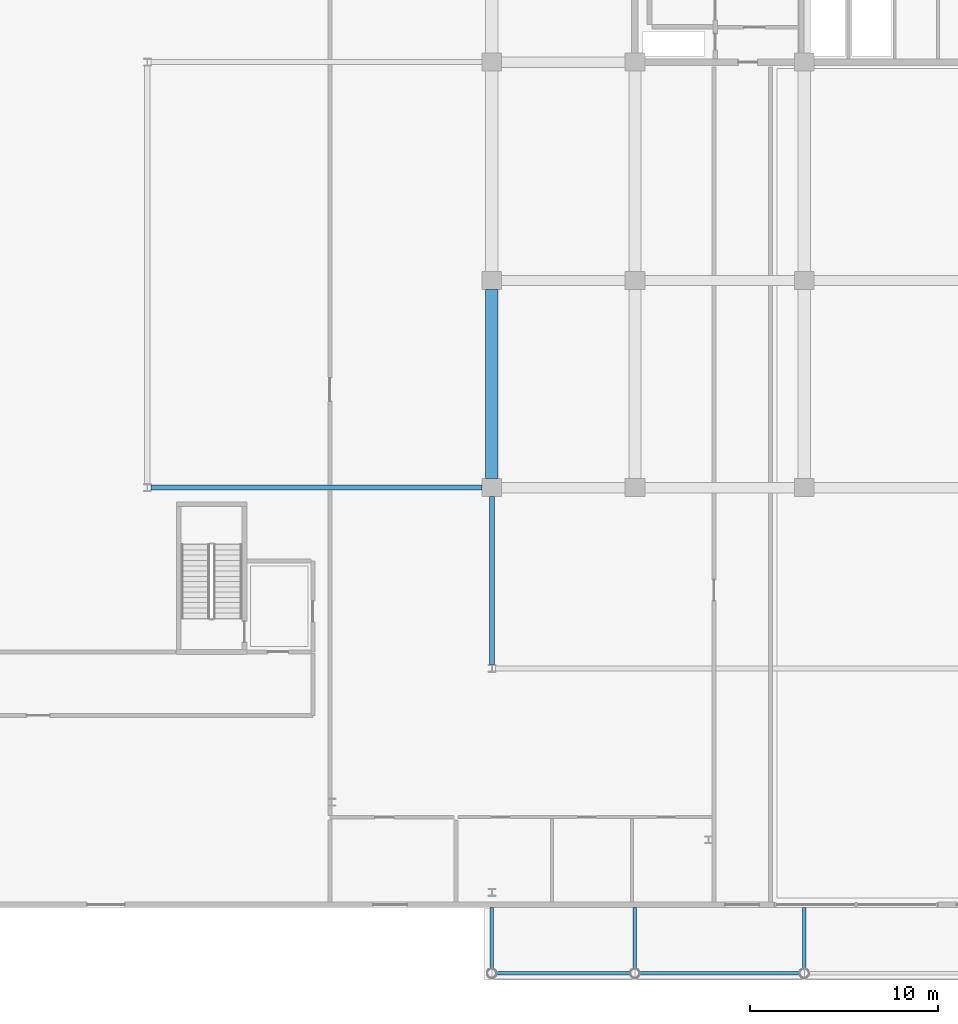
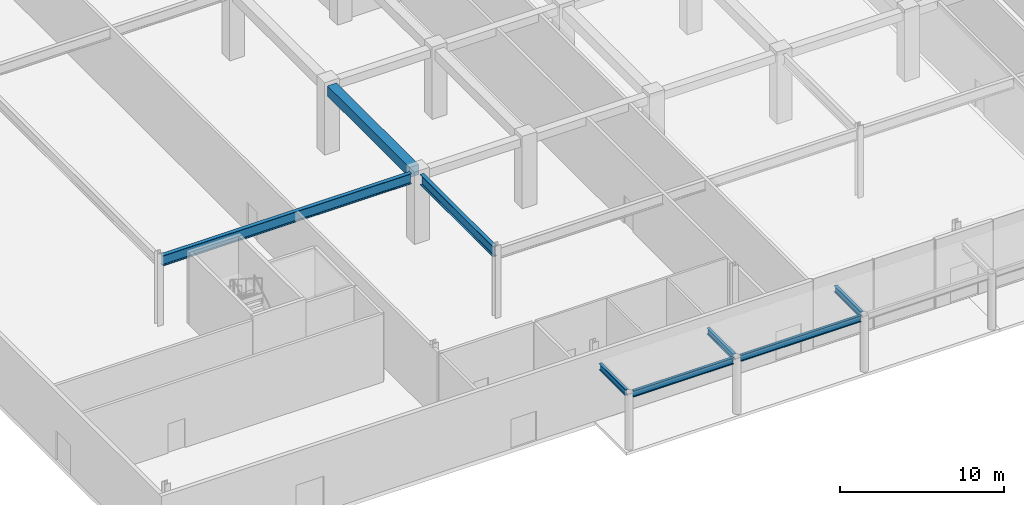
# One storey, part 11 of 46: 8 beams.
"""IFC4 building model written with IfcOpenShell, lengths in metres."""

from ifc_helpers import new_model, si_unit, direction, frame, origin, origin_2d, place, context, subcontext, project, spatial, rectangle, i_section, extrude, material, material_profile, profile_set, type_object, element, save


model = new_model("IFC4")

# Units and contexts
model_context = context("Model", 3, precision=1e-05, world=origin(), true_north=direction((0.0, 1.0)))
body_context = subcontext(model_context, "Body", "Model", "MODEL_VIEW")
ifc_project = project(units=[si_unit("LENGTHUNIT", "METRE"), si_unit("AREAUNIT", "SQUARE_METRE"), si_unit("VOLUMEUNIT", "CUBIC_METRE"), si_unit("PLANEANGLEUNIT", "RADIAN"), si_unit("MASSUNIT", "GRAM", prefix="KILO")], contexts=[model_context])

# Site, building, storey
site_placement = place(None, origin())
site = spatial("IfcSite", under=ifc_project, at=site_placement, CompositionType="ELEMENT")
building_placement = place(site_placement, origin())
building = spatial("IfcBuilding", under=site, at=building_placement, Name="Korimba Cascade Residences", CompositionType="ELEMENT")
storey_placement = place(building_placement, origin())
storey = spatial("IfcBuildingStorey", under=building, at=storey_placement, Name="L00", CompositionType="ELEMENT", Elevation=0.0)

# Beams
ifc_material_1 = material(Name="Concrete C50/60", Category="concrete")
ifc_material_profile_1 = material_profile(ifc_material_1, rectangle(XDim=0.64990234375, YDim=0.75, at=origin_2d()), Name="Concrete C50/60")
ifc_profile_set_1 = profile_set([ifc_material_profile_1], Name="Concrete C50/60")
beam_type_1 = type_object("IfcBeamType", Name="BM-RC-G750", PredefinedType="BEAM", material=ifc_profile_set_1)
beam_1_placement = place(storey_placement, frame((74.5, -3.72509765625, 4.72509765625), z_axis=(0.0, 1.0, 0.0), x_axis=(-1.0, 0.0, 0.0)))
element("IfcBeam", 1, at=beam_1_placement, inside=storey, type_object=beam_type_1, Name="L00 T2 N-S Girder X1 Seg 1", PredefinedType="BEAM", context=body_context, shape_type="SweptSolid", body=[
    extrude(rectangle(XDim=0.64990234375, YDim=0.75, at=origin_2d()), origin(), (0.0, 0.0, 1.0), 10.050048828125),
])
ifc_material_2 = material(Name="Steel S355", Category="steel")
ifc_material_profile_2 = material_profile(ifc_material_2, i_section(OverallWidth=0.19140625, OverallDepth=0.4599609375, WebThickness=0.010009765625, FlangeThickness=0.01611328125, FilletRadius=0.01025390625, at=origin_2d()), Name="Steel S355")
ifc_profile_set_2 = profile_set([ifc_material_profile_2], Name="Steel S355")
beam_type_2 = type_object("IfcBeamType", Name="BM-STL-UB457", PredefinedType="JOIST", material=ifc_profile_set_2)
for number, where, z_axis, x_axis, name in (
    (2, (74.5, -29.739990234375, 3.969970703125), (0.0, 1.0, 0.0), (-1.0, 0.0, 0.0), "Canopy Tie Beam 1"),
    (3, (82.10009765625, -29.739990234375, 3.969970703125), (0.0, 1.0, 0.0), (-1.0, 0.0, 0.0), "Canopy Tie Beam 2"),
    (4, (91.10009765625, -29.739990234375, 3.969970703125), (0.0, 1.0, 0.0), (-1.0, 0.0, 0.0), "Canopy Tie Beam 3"),
):
    element("IfcBeam", number, at=place(storey_placement, frame(where, z_axis=z_axis, x_axis=x_axis)), inside=storey, type_object=beam_type_2, Name=name, PredefinedType="JOIST", context=body_context, shape_type="SweptSolid", body=[
        extrude(i_section(OverallWidth=0.19140625, OverallDepth=0.4599609375, WebThickness=0.010009765625, FlangeThickness=0.01611328125, FilletRadius=0.01025390625, at=origin_2d()), origin(), (0.0, 0.0, 1.0), 3.239990234375),
    ])
beam_2_placement = place(storey_placement, frame((74.75, -30.0, 3.969970703125), z_axis=(1.0, 0.0, 0.0), x_axis=(0.0, 1.0, 0.0)))
element("IfcBeam", 5, at=beam_2_placement, inside=storey, type_object=beam_type_2, Name="Canopy Edge Beam 1", PredefinedType="JOIST", context=body_context, shape_type="SweptSolid", body=[
    extrude(i_section(OverallWidth=0.19140625, OverallDepth=0.4599609375, WebThickness=0.010009765625, FlangeThickness=0.01611328125, FilletRadius=0.01025390625, at=origin_2d()), origin(), (0.0, 0.0, 1.0), 7.10009765625),
])
beam_3_placement = place(storey_placement, frame((82.35009765625, -30.0, 3.969970703125), z_axis=(1.0, 0.0, 0.0), x_axis=(0.0, 1.0, 0.0)))
element("IfcBeam", 6, at=beam_3_placement, inside=storey, type_object=beam_type_2, Name="Canopy Edge Beam 2", PredefinedType="JOIST", context=body_context, shape_type="SweptSolid", body=[
    extrude(i_section(OverallWidth=0.19140625, OverallDepth=0.4599609375, WebThickness=0.010009765625, FlangeThickness=0.01611328125, FilletRadius=0.01025390625, at=origin_2d()), origin(), (0.0, 0.0, 1.0), 8.5),
])
ifc_material_profile_3 = material_profile(ifc_material_2, i_section(OverallWidth=0.26806640625, OverallDepth=0.769775390625, WebThickness=0.015625, FlangeThickness=0.025390625, FilletRadius=0.0166015625, at=origin_2d()), Name="Steel S355")
ifc_profile_set_3 = profile_set([ifc_material_profile_3], Name="Steel S355")
beam_type_3 = type_object("IfcBeamType", Name="BM-STL-UB762", PredefinedType="BEAM", material=ifc_profile_set_3)
beam_4_placement = place(storey_placement, frame((56.3994140625, -4.199951171875, 4.715087890625), z_axis=(1.0, 0.0, 0.0), x_axis=(0.0, 1.0, 0.0)))
element("IfcBeam", 7, at=beam_4_placement, inside=storey, type_object=beam_type_3, Name="L00 Podium Frame Girder W1", PredefinedType="BEAM", context=body_context, shape_type="SweptSolid", body=[
    extrude(i_section(OverallWidth=0.26806640625, OverallDepth=0.769775390625, WebThickness=0.015625, FlangeThickness=0.025390625, FilletRadius=0.0166015625, at=origin_2d()), origin(), (0.0, 0.0, 1.0), 17.57568359375),
])
beam_5_placement = place(storey_placement, frame((74.5, -13.603271484375, 4.715087890625), z_axis=(0.0, 1.0, 0.0), x_axis=(-1.0, 0.0, 0.0)))
element("IfcBeam", 8, at=beam_5_placement, inside=storey, type_object=beam_type_3, Name="L00 Podium Frame Girder S1", PredefinedType="BEAM", context=body_context, shape_type="SweptSolid", body=[
    extrude(i_section(OverallWidth=0.26806640625, OverallDepth=0.769775390625, WebThickness=0.015625, FlangeThickness=0.025390625, FilletRadius=0.0166015625, at=origin_2d()), origin(), (0.0, 0.0, 1.0), 8.92822265625),
])

save(model, "model.ifc")
